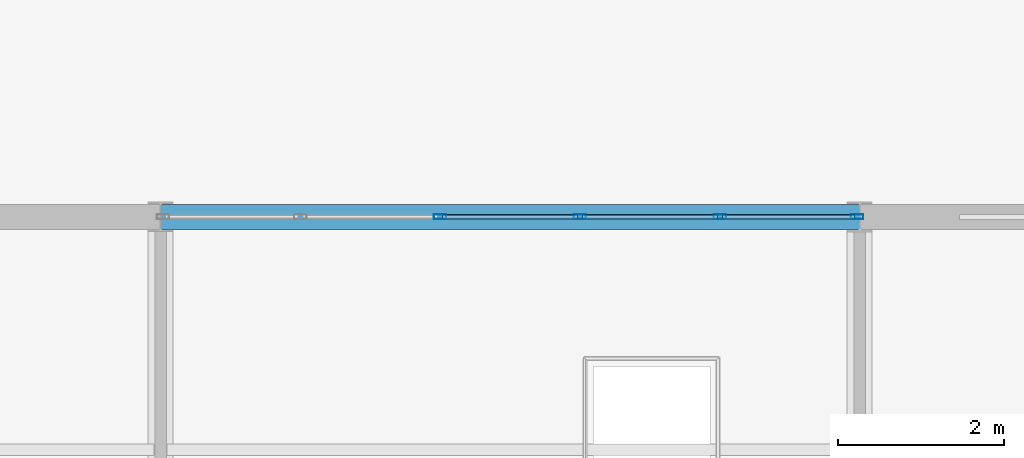
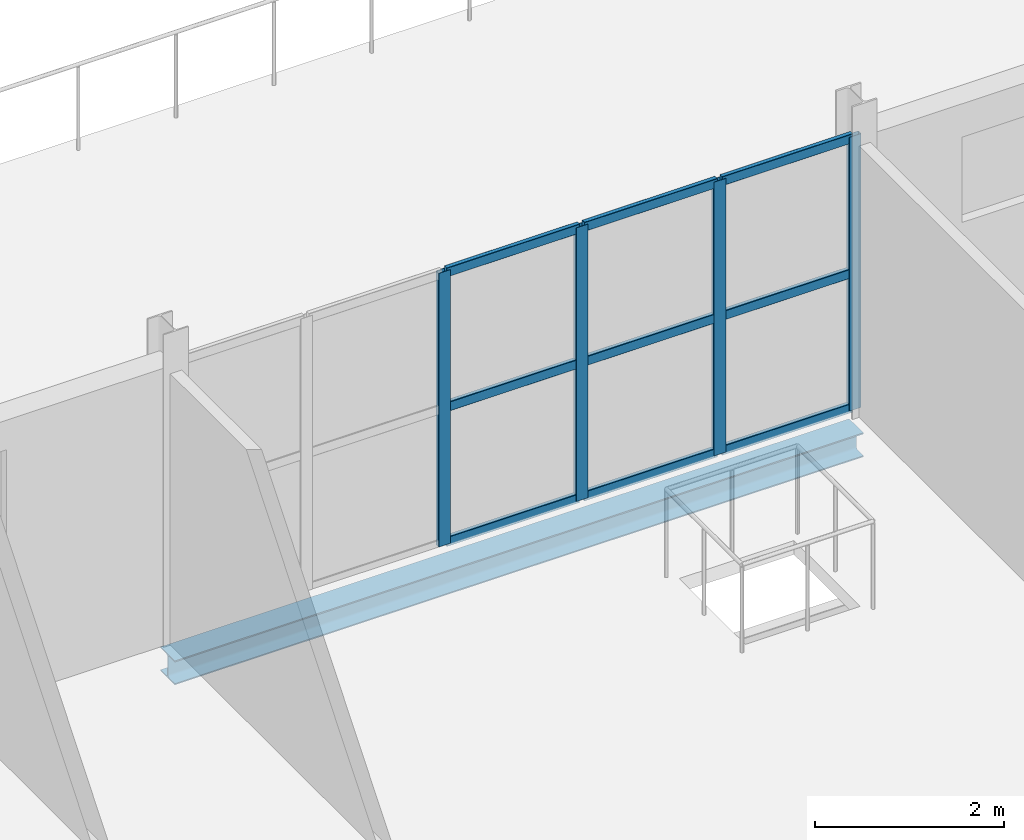
# One storey, part 124 of 184: 13 members, 1 beam, 1 element without a shape of its own.
"""IFC4 building model written with IfcOpenShell, lengths in metres."""

from ifc_helpers import new_model, si_unit, direction, frame, origin, origin_2d, place, context, subcontext, project, spatial, hollow_rectangle, i_section, extrude, material, layer, layer_set, material_profile, profile_set, type_object, element, aggregate, save


model = new_model("IFC4")

# Units and contexts
model_context = context("Model", 3, precision=1e-05, world=origin(), true_north=direction((0.0, 1.0)))
body_context = subcontext(model_context, "Body", "Model", "MODEL_VIEW")
ifc_project = project(units=[si_unit("LENGTHUNIT", "METRE"), si_unit("AREAUNIT", "SQUARE_METRE"), si_unit("VOLUMEUNIT", "CUBIC_METRE"), si_unit("PLANEANGLEUNIT", "RADIAN"), si_unit("MASSUNIT", "GRAM", prefix="KILO")], contexts=[model_context])

# Site, building, storey
site_placement = place(None, origin())
site = spatial("IfcSite", under=ifc_project, at=site_placement, CompositionType="ELEMENT")
building_placement = place(site_placement, origin())
building = spatial("IfcBuilding", under=site, at=building_placement, Name="Qalvenar Corner Mobility Hub", CompositionType="ELEMENT")
storey_placement = place(building_placement, frame((0.0, 0.0, 9.0)))
storey = spatial("IfcBuildingStorey", under=building, at=storey_placement, Name="L02", CompositionType="ELEMENT", Elevation=9.0)

# Beam
ifc_material_1 = material(Name="Steel S355", Category="steel")
ifc_material_profile_1 = material_profile(ifc_material_1, i_section(OverallWidth=0.300048828125, OverallDepth=0.31005859375, WebThickness=0.009033203125, FlangeThickness=0.015380859375, FilletRadius=0.027099609375, at=origin_2d()), Name="HEA320")
ifc_profile_set_1 = profile_set([ifc_material_profile_1], Name="Steel S355")
beam_type = type_object("IfcBeamType", Name="BM-SPN320", PredefinedType="SPANDREL", material=ifc_profile_set_1)
beam_placement = place(storey_placement, frame((126.0, 42.0, -0.39697265625), z_axis=(1.0, 0.0, 0.0), x_axis=(0.0, 1.0, 0.0)))
element("IfcBeam", 1, at=beam_placement, inside=storey, type_object=beam_type, Name="Primary Steel Girder GX-1706", PredefinedType="SPANDREL", context=body_context, shape_type="SweptSolid", body=[
    extrude(i_section(OverallWidth=0.300048828125, OverallDepth=0.31005859375, WebThickness=0.009033203125, FlangeThickness=0.015380859375, FilletRadius=0.027099609375, at=origin_2d()), origin(), (0.0, 0.0, 1.0), 8.39990234375),
])

# Curtain wall, members
ifc_material_2 = material(Name="Anodised Aluminium and Low-E Glazing", Category="aluminium")
ifc_layer = layer(ifc_material_2, 0.14990234375)
ifc_layer_set = layer_set([ifc_layer], Name="Anodised Aluminium and Low-E Glazing")
curtain_wall_type = type_object("IfcCurtainWallType", Name="CW-WKS-84X44", PredefinedType="NOTDEFINED", material=ifc_layer_set)
curtain_wall_placement = place(storey_placement, origin())
curtain_wall = element("IfcCurtainWall", 2, at=curtain_wall_placement, inside=storey, type_object=curtain_wall_type, Name="Glazed Curtain Wall CW-V6-L02-N2", PredefinedType="NOTDEFINED")
ifc_material_3 = material(Name="Anodised Aluminium 6063-T6", Category="aluminium")
ifc_material_profile_2 = material_profile(ifc_material_3, hollow_rectangle(XDim=0.06005859375, YDim=0.14990234375, WallThickness=0.00390625, InnerFilletRadius=0.00390625, OuterFilletRadius=0.008056640625, at=origin_2d()), Name="RHS150x60x4")
ifc_profile_set_2 = profile_set([ifc_material_profile_2], Name="Anodised Aluminium 6063-T6")
member_type_1 = type_object("IfcMemberType", Name="CW-MUL150", PredefinedType="MULLION", material=ifc_profile_set_2)
member_1_placement = place(storey_placement, frame((134.3701171875, 42.0, 0.0), z_axis=(0.0, 0.0, 1.0), x_axis=(0.0, -1.0, 0.0)))
member_1 = element("IfcMember", 3, at=member_1_placement, type_object=member_type_1, Name="CW-09 mullion 1", PredefinedType="MULLION", context=body_context, shape_type="SweptSolid", body=[
    extrude(hollow_rectangle(XDim=0.06005859375, YDim=0.14990234375, WallThickness=0.00390625, InnerFilletRadius=0.00390625, OuterFilletRadius=0.008056640625, at=origin_2d()), origin(), (0.0, 0.0, 1.0), 3.530029296875),
])
member_2_placement = place(storey_placement, frame((132.719970703125, 42.0, 0.0), z_axis=(0.0, 0.0, 1.0), x_axis=(0.0, -1.0, 0.0)))
member_2 = element("IfcMember", 4, at=member_2_placement, type_object=member_type_1, Name="CW-09 mullion 2", PredefinedType="MULLION", context=body_context, shape_type="SweptSolid", body=[
    extrude(hollow_rectangle(XDim=0.06005859375, YDim=0.14990234375, WallThickness=0.00390625, InnerFilletRadius=0.00390625, OuterFilletRadius=0.008056640625, at=origin_2d()), origin(), (0.0, 0.0, 1.0), 3.530029296875),
])
member_3_placement = place(storey_placement, frame((131.0400390625, 42.0, 0.0), z_axis=(0.0, 0.0, 1.0), x_axis=(0.0, -1.0, 0.0)))
member_3 = element("IfcMember", 5, at=member_3_placement, type_object=member_type_1, Name="CW-09 mullion 3", PredefinedType="MULLION", context=body_context, shape_type="SweptSolid", body=[
    extrude(hollow_rectangle(XDim=0.06005859375, YDim=0.14990234375, WallThickness=0.00390625, InnerFilletRadius=0.00390625, OuterFilletRadius=0.008056640625, at=origin_2d()), origin(), (0.0, 0.0, 1.0), 3.530029296875),
])
member_4_placement = place(storey_placement, frame((129.360107421875, 42.0, 0.0), z_axis=(0.0, 0.0, 1.0), x_axis=(0.0, -1.0, 0.0)))
member_4 = element("IfcMember", 6, at=member_4_placement, type_object=member_type_1, Name="CW-09 mullion 4", PredefinedType="MULLION", context=body_context, shape_type="SweptSolid", body=[
    extrude(hollow_rectangle(XDim=0.06005859375, YDim=0.14990234375, WallThickness=0.00390625, InnerFilletRadius=0.00390625, OuterFilletRadius=0.008056640625, at=origin_2d()), origin(), (0.0, 0.0, 1.0), 3.530029296875),
])
ifc_material_profile_3 = material_profile(ifc_material_3, hollow_rectangle(XDim=0.054931640625, YDim=0.1201171875, WallThickness=0.00341796875, InnerFilletRadius=0.00341796875, OuterFilletRadius=0.007080078125, at=origin_2d()), Name="RHS120x55x3.5")
ifc_profile_set_3 = profile_set([ifc_material_profile_3], Name="Anodised Aluminium 6063-T6")
member_type_2 = type_object("IfcMemberType", Name="CW-TRN120", PredefinedType="USERDEFINED", material=ifc_profile_set_3)
member_5_placement = place(storey_placement, frame((134.340087890625, 42.0, 0.027587890625), z_axis=(-1.0, 0.0, 0.0), x_axis=(0.0, -1.0, 0.0)))
member_5 = element("IfcMember", 7, at=member_5_placement, type_object=member_type_2, Name="CW-09 transom 1.1", ObjectType="TRANSOM", PredefinedType="USERDEFINED", context=body_context, shape_type="SweptSolid", body=[
    extrude(hollow_rectangle(XDim=0.054931640625, YDim=0.1201171875, WallThickness=0.00341796875, InnerFilletRadius=0.00341796875, OuterFilletRadius=0.007080078125, at=origin_2d()), origin(), (0.0, 0.0, 1.0), 1.590087890625),
])
member_6_placement = place(storey_placement, frame((134.340087890625, 42.0, 1.764892578125), z_axis=(-1.0, 0.0, 0.0), x_axis=(0.0, -1.0, 0.0)))
member_6 = element("IfcMember", 8, at=member_6_placement, type_object=member_type_2, Name="CW-09 transom 1.2", ObjectType="TRANSOM", PredefinedType="USERDEFINED", context=body_context, shape_type="SweptSolid", body=[
    extrude(hollow_rectangle(XDim=0.054931640625, YDim=0.1201171875, WallThickness=0.00341796875, InnerFilletRadius=0.00341796875, OuterFilletRadius=0.007080078125, at=origin_2d()), origin(), (0.0, 0.0, 1.0), 1.590087890625),
])
member_7_placement = place(storey_placement, frame((134.340087890625, 42.0, 3.50244140625), z_axis=(-1.0, 0.0, 0.0), x_axis=(0.0, -1.0, 0.0)))
member_7 = element("IfcMember", 9, at=member_7_placement, type_object=member_type_2, Name="CW-09 transom 1.3", ObjectType="TRANSOM", PredefinedType="USERDEFINED", context=body_context, shape_type="SweptSolid", body=[
    extrude(hollow_rectangle(XDim=0.054931640625, YDim=0.1201171875, WallThickness=0.00341796875, InnerFilletRadius=0.00341796875, OuterFilletRadius=0.007080078125, at=origin_2d()), origin(), (0.0, 0.0, 1.0), 1.590087890625),
])
member_8_placement = place(storey_placement, frame((132.68994140625, 42.0, 0.027587890625), z_axis=(-1.0, 0.0, 0.0), x_axis=(0.0, -1.0, 0.0)))
member_8 = element("IfcMember", 10, at=member_8_placement, type_object=member_type_2, Name="CW-09 transom 2.1", ObjectType="TRANSOM", PredefinedType="USERDEFINED", context=body_context, shape_type="SweptSolid", body=[
    extrude(hollow_rectangle(XDim=0.054931640625, YDim=0.1201171875, WallThickness=0.00341796875, InnerFilletRadius=0.00341796875, OuterFilletRadius=0.007080078125, at=origin_2d()), origin(), (0.0, 0.0, 1.0), 1.619873046875),
])
member_9_placement = place(storey_placement, frame((132.68994140625, 42.0, 1.764892578125), z_axis=(-1.0, 0.0, 0.0), x_axis=(0.0, -1.0, 0.0)))
member_9 = element("IfcMember", 11, at=member_9_placement, type_object=member_type_2, Name="CW-09 transom 2.2", ObjectType="TRANSOM", PredefinedType="USERDEFINED", context=body_context, shape_type="SweptSolid", body=[
    extrude(hollow_rectangle(XDim=0.054931640625, YDim=0.1201171875, WallThickness=0.00341796875, InnerFilletRadius=0.00341796875, OuterFilletRadius=0.007080078125, at=origin_2d()), origin(), (0.0, 0.0, 1.0), 1.619873046875),
])
member_10_placement = place(storey_placement, frame((132.68994140625, 42.0, 3.50244140625), z_axis=(-1.0, 0.0, 0.0), x_axis=(0.0, -1.0, 0.0)))
member_10 = element("IfcMember", 12, at=member_10_placement, type_object=member_type_2, Name="CW-09 transom 2.3", ObjectType="TRANSOM", PredefinedType="USERDEFINED", context=body_context, shape_type="SweptSolid", body=[
    extrude(hollow_rectangle(XDim=0.054931640625, YDim=0.1201171875, WallThickness=0.00341796875, InnerFilletRadius=0.00341796875, OuterFilletRadius=0.007080078125, at=origin_2d()), origin(), (0.0, 0.0, 1.0), 1.619873046875),
])
member_11_placement = place(storey_placement, frame((131.010009765625, 42.0, 0.027587890625), z_axis=(-1.0, 0.0, 0.0), x_axis=(0.0, -1.0, 0.0)))
member_11 = element("IfcMember", 13, at=member_11_placement, type_object=member_type_2, Name="CW-09 transom 3.1", ObjectType="TRANSOM", PredefinedType="USERDEFINED", context=body_context, shape_type="SweptSolid", body=[
    extrude(hollow_rectangle(XDim=0.054931640625, YDim=0.1201171875, WallThickness=0.00341796875, InnerFilletRadius=0.00341796875, OuterFilletRadius=0.007080078125, at=origin_2d()), origin(), (0.0, 0.0, 1.0), 1.6201171875),
])
member_12_placement = place(storey_placement, frame((131.010009765625, 42.0, 1.764892578125), z_axis=(-1.0, 0.0, 0.0), x_axis=(0.0, -1.0, 0.0)))
member_12 = element("IfcMember", 14, at=member_12_placement, type_object=member_type_2, Name="CW-09 transom 3.2", ObjectType="TRANSOM", PredefinedType="USERDEFINED", context=body_context, shape_type="SweptSolid", body=[
    extrude(hollow_rectangle(XDim=0.054931640625, YDim=0.1201171875, WallThickness=0.00341796875, InnerFilletRadius=0.00341796875, OuterFilletRadius=0.007080078125, at=origin_2d()), origin(), (0.0, 0.0, 1.0), 1.6201171875),
])
member_13_placement = place(storey_placement, frame((131.010009765625, 42.0, 3.50244140625), z_axis=(-1.0, 0.0, 0.0), x_axis=(0.0, -1.0, 0.0)))
member_13 = element("IfcMember", 15, at=member_13_placement, type_object=member_type_2, Name="CW-09 transom 3.3", ObjectType="TRANSOM", PredefinedType="USERDEFINED", context=body_context, shape_type="SweptSolid", body=[
    extrude(hollow_rectangle(XDim=0.054931640625, YDim=0.1201171875, WallThickness=0.00341796875, InnerFilletRadius=0.00341796875, OuterFilletRadius=0.007080078125, at=origin_2d()), origin(), (0.0, 0.0, 1.0), 1.6201171875),
])
aggregate(curtain_wall, [member_1, member_2, member_3, member_4, member_5, member_6, member_7, member_8, member_9, member_10, member_11, member_12, member_13])

save(model, "model.ifc")
